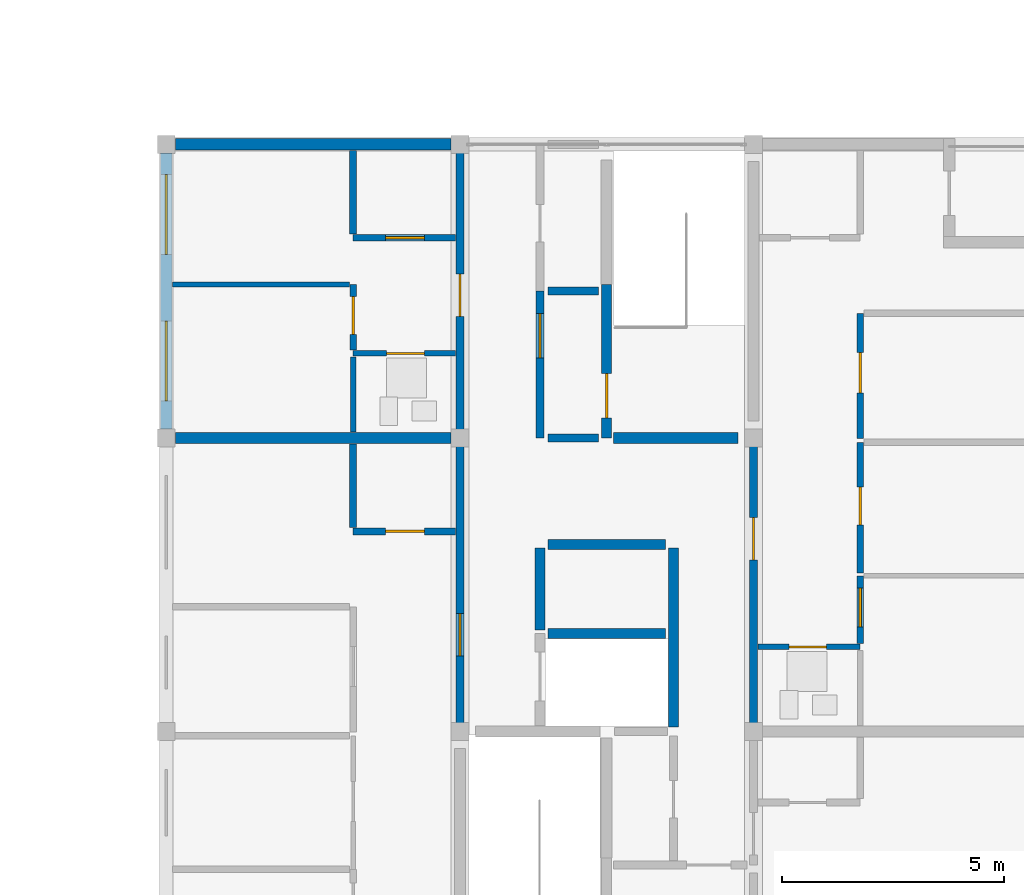
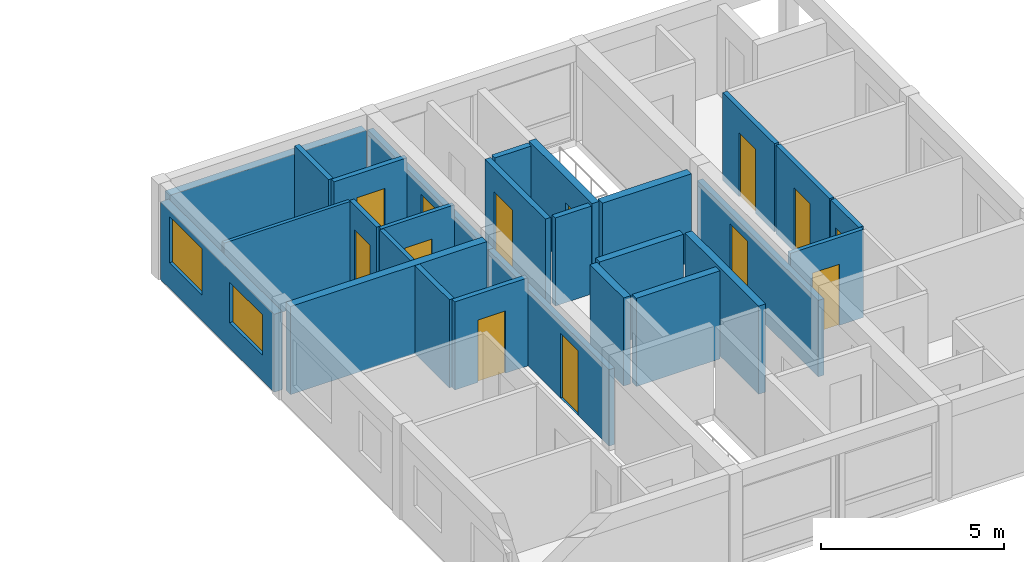
# One storey, part 19 of 34: 27 walls, 13 doors, 2 windows, 15 openings.
"""IFC4 building model written with IfcOpenShell, lengths in metres."""

from ifc_helpers import new_model, si_unit, direction, frame, frame_2d, origin, place, context, subcontext, project, spatial, rectangle, extrude, material, layer, layer_set, type_object, element, fill, save


model = new_model("IFC4")

# Units and contexts
model_context = context("Model", 3, precision=1e-05, world=origin(), true_north=direction((0.0, 1.0)))
body_context = subcontext(model_context, "Body", "Model", "MODEL_VIEW")
ifc_project = project(units=[si_unit("LENGTHUNIT", "METRE"), si_unit("AREAUNIT", "SQUARE_METRE"), si_unit("VOLUMEUNIT", "CUBIC_METRE"), si_unit("PLANEANGLEUNIT", "RADIAN"), si_unit("MASSUNIT", "GRAM", prefix="KILO")], contexts=[model_context])

# Site, building, storey
site_placement = place(None, origin())
site = spatial("IfcSite", under=ifc_project, at=site_placement, CompositionType="ELEMENT")
building_placement = place(site_placement, origin())
building = spatial("IfcBuilding", under=site, at=building_placement, Name="Kernevlak Ridge Housing Community", CompositionType="ELEMENT")
storey_placement = place(building_placement, frame((0.0, 0.0, 40.39990234375)))
storey = spatial("IfcBuildingStorey", under=building, at=storey_placement, Name="L12", CompositionType="ELEMENT", Elevation=40.39990234375)

# Wall, openings, windows
ifc_material_1 = material(Name="Concrete block masonry M10", Category="masonry")
ifc_layer_1 = layer(ifc_material_1, 0.260009765625, Name="Concrete block masonry M10")
ifc_layer_set_1 = layer_set([ifc_layer_1], Name="Concrete block masonry M10")
wall_type_1 = type_object("IfcWallType", Name="EW-05", PredefinedType="STANDARD", material=ifc_layer_set_1)
wall_1_placement = place(storey_placement, frame((126.0, 29.0, 0.0), z_axis=(0.0, 0.0, 1.0), x_axis=(0.0, 1.0, 0.0)))
wall_1 = element("IfcWall", 1, at=wall_1_placement, inside=storey, type_object=wall_type_1, Name="Exterior wall EW-05 L12 699", PredefinedType="STANDARD", context=body_context, shape_type="SweptSolid", body=[
    extrude(rectangle(XDim=6.199951171875, YDim=0.260009765625, at=frame_2d((3.10009765625, 0.0))), origin(), (0.0, 0.0, 1.0), 2.60009765625),
])
opening_1_placement = place(wall_1_placement, frame((0.625, 0.0, 0.85009765625)))
opening_1 = element("IfcOpeningElement", 2, at=opening_1_placement, cuts=wall_1, Name="Opening WT-03", PredefinedType="OPENING", context=body_context, shape_type="SweptSolid", body=[
    extrude(rectangle(XDim=1.800048828125, YDim=1.35009765625, at=frame_2d((0.89990234375, 0.675048828125))), frame((0.0, 0.139892578125, 0.0), z_axis=(0.0, -1.0, 0.0), x_axis=(1.0, 0.0, 0.0)), (0.0, 0.0, 1.0), 0.280029296875),
])
opening_2_placement = place(wall_1_placement, frame((3.925048828125, 0.0, 0.85009765625)))
opening_2 = element("IfcOpeningElement", 3, at=opening_2_placement, cuts=wall_1, Name="Opening WT-04", PredefinedType="OPENING", context=body_context, shape_type="SweptSolid", body=[
    extrude(rectangle(XDim=1.800048828125, YDim=1.550048828125, at=frame_2d((0.89990234375, 0.77490234375))), frame((0.0, 0.139892578125, 0.0), z_axis=(0.0, -1.0, 0.0), x_axis=(1.0, 0.0, 0.0)), (0.0, 0.0, 1.0), 0.280029296875),
])
ifc_material_2 = material(Name="Aluminium EN AW-6060 anodised and laminated glass", Category="aluminium")
window_type_1 = type_object("IfcWindowType", Name="WT-03", PartitioningType="SINGLE_PANEL", PredefinedType="WINDOW", material=ifc_material_2)
window_1_placement = place(opening_1_placement, origin())
window_1 = element("IfcWindow", 4, at=window_1_placement, inside=storey, type_object=window_type_1, Name="Window WT-03 L12 571", OverallHeight=1.35009765625, OverallWidth=1.800048828125, PartitioningType="SINGLE_PANEL", PredefinedType="WINDOW", context=body_context, shape_type="SweptSolid", body=[
    extrude(rectangle(XDim=1.800048828125, YDim=1.35009765625, at=frame_2d((0.89990234375, 0.675048828125))), frame((0.0, 0.030029296875, 0.0), z_axis=(0.0, -1.0, 0.0), x_axis=(1.0, 0.0, 0.0)), (0.0, 0.0, 1.0), 0.06005859375),
])
fill(opening_1, window_1)
window_type_2 = type_object("IfcWindowType", Name="WT-04", PartitioningType="SINGLE_PANEL", PredefinedType="WINDOW", material=ifc_material_2)
window_2_placement = place(opening_2_placement, origin())
window_2 = element("IfcWindow", 5, at=window_2_placement, inside=storey, type_object=window_type_2, Name="Window WT-04 L12 572", OverallHeight=1.550048828125, OverallWidth=1.800048828125, PartitioningType="SINGLE_PANEL", PredefinedType="WINDOW", context=body_context, shape_type="SweptSolid", body=[
    extrude(rectangle(XDim=1.800048828125, YDim=1.550048828125, at=frame_2d((0.89990234375, 0.77490234375))), frame((0.0, 0.030029296875, 0.0), z_axis=(0.0, -1.0, 0.0), x_axis=(1.0, 0.0, 0.0)), (0.0, 0.0, 1.0), 0.06005859375),
])
fill(opening_2, window_2)

# Walls
wall_2_placement = place(storey_placement, frame((126.199951171875, 35.39990234375, 0.0), z_axis=(0.0, 0.0, 1.0), x_axis=(1.0, 0.0, 0.0)))
element("IfcWall", 6, at=wall_2_placement, inside=storey, type_object=wall_type_1, Name="Exterior wall EW-05 L12 707", PredefinedType="STANDARD", context=body_context, shape_type="SweptSolid", body=[
    extrude(rectangle(XDim=6.199951171875, YDim=0.260009765625, at=frame_2d((3.10009765625, 0.0))), origin(), (0.0, 0.0, 1.0), 2.650146484375),
])
ifc_material_3 = material(Name="Concrete C35/45", Category="concrete")
ifc_layer_2 = layer(ifc_material_3, 0.22509765625, Name="Concrete C35/45")
ifc_layer_set_2 = layer_set([ifc_layer_2], Name="Concrete C35/45")
wall_type_2 = type_object("IfcWallType", Name="PW-01", PredefinedType="STANDARD", material=ifc_layer_set_2)
wall_3_placement = place(storey_placement, frame((134.39990234375, 24.47998046875, 0.0), z_axis=(0.0, 0.0, 1.0), x_axis=(0.0, 1.0, 0.0)))
element("IfcWall", 7, at=wall_3_placement, inside=storey, type_object=wall_type_2, Name="Interior wall PW-01 WAL-INT-L12-2848", PredefinedType="STANDARD", context=body_context, shape_type="SweptSolid", body=[
    extrude(rectangle(XDim=1.840087890625, YDim=0.22509765625, at=frame_2d((0.919921875, 0.0))), origin(), (0.0, 0.0, 1.0), 2.940185546875),
])
wall_4_placement = place(storey_placement, frame((137.39990234375, 22.297607421875, 0.0), z_axis=(0.0, 0.0, 1.0), x_axis=(0.0, 1.0, 0.0)))
element("IfcWall", 8, at=wall_4_placement, inside=storey, type_object=wall_type_2, Name="Interior wall PW-01 WAL-INT-L12-2849", PredefinedType="STANDARD", context=body_context, shape_type="SweptSolid", body=[
    extrude(rectangle(XDim=4.0224609375, YDim=0.22509765625, at=frame_2d((2.01123046875, 0.0))), origin(), (0.0, 0.0, 1.0), 2.940185546875),
])
for number, where, z_axis, x_axis, name in (
    (9, (134.580078125, 24.39990234375, 0.0), (0.0, 0.0, 1.0), (1.0, 0.0, 0.0), "Interior wall PW-01 WAL-INT-L12-2851"),
    (10, (134.580078125, 26.39990234375, 0.0), (0.0, 0.0, 1.0), (1.0, 0.0, 0.0), "Interior wall PW-01 WAL-INT-L12-2852"),
):
    element("IfcWall", number, at=place(storey_placement, frame(where, z_axis=z_axis, x_axis=x_axis)), inside=storey, type_object=wall_type_2, Name=name, PredefinedType="STANDARD", context=body_context, shape_type="SweptSolid", body=[
        extrude(rectangle(XDim=2.639892578125, YDim=0.22509765625, at=frame_2d((1.31982421875, 0.0))), origin(), (0.0, 0.0, 1.0), 2.940185546875),
    ])

# Wall, opening, door
wall_5_placement = place(storey_placement, frame((135.89990234375, 28.800048828125, 0.0), z_axis=(0.0, 0.0, 1.0), x_axis=(0.0, 1.0, 0.0)))
wall_5 = element("IfcWall", 11, at=wall_5_placement, inside=storey, type_object=wall_type_2, Name="Interior wall PW-01 WAL-INT-L12-2853", PredefinedType="STANDARD", context=body_context, shape_type="SweptSolid", body=[
    extrude(rectangle(XDim=3.449951171875, YDim=0.22509765625, at=frame_2d((1.72509765625, 0.0))), origin(), (0.0, 0.0, 1.0), 2.940185546875),
])
opening_3_placement = place(wall_5_placement, frame((0.449951171875, 0.0, 0.0)))
opening_3 = element("IfcOpeningElement", 12, at=opening_3_placement, cuts=wall_5, Name="Opening E447", PredefinedType="OPENING", context=body_context, shape_type="SweptSolid", body=[
    extrude(rectangle(XDim=1.0, YDim=2.10009765625, at=frame_2d((0.5, 1.050048828125))), frame((0.0, 0.12255859375, 0.0), z_axis=(0.0, -1.0, 0.0), x_axis=(1.0, 0.0, 0.0)), (0.0, 0.0, 1.0), 0.2451171875),
])
ifc_material_4 = material(Name="Fire-rated sheet steel leaf", Category="steel")
door_type_1 = type_object("IfcDoorType", Name="DT-05", OperationType="NOTDEFINED", PredefinedType="DOOR", material=ifc_material_4)
door_1_placement = place(opening_3_placement, origin())
door_1 = element("IfcDoor", 13, at=door_1_placement, inside=storey, type_object=door_type_1, Name="Block C Stair 2 fire door E447", OperationType="SINGLE_SWING_RIGHT", OverallHeight=2.10009765625, OverallWidth=1.0, PredefinedType="DOOR", context=body_context, shape_type="SweptSolid", body=[
    extrude(rectangle(XDim=1.0, YDim=2.10009765625, at=frame_2d((0.5, 1.050048828125))), frame((0.0, 0.02490234375, 0.0), z_axis=(0.0, -1.0, 0.0), x_axis=(1.0, 0.0, 0.0)), (0.0, 0.0, 1.0), 0.050048828125),
])
fill(opening_3, door_1)

ifc_layer_3 = layer(ifc_material_1, 0.175048828125, Name="Concrete block masonry M10")
ifc_layer_set_3 = layer_set([ifc_layer_3], Name="Concrete block masonry M10")
wall_type_3 = type_object("IfcWallType", Name="PW-02", PredefinedType="PARTITIONING", material=ifc_layer_set_3)
wall_6_placement = place(storey_placement, frame((134.39990234375, 28.800048828125, 0.0), z_axis=(0.0, 0.0, 1.0), x_axis=(0.0, 1.0, 0.0)))
wall_6 = element("IfcWall", 14, at=wall_6_placement, inside=storey, type_object=wall_type_3, Name="Interior wall PW-02 WAL-INT-L12-2854", PredefinedType="PARTITIONING", context=body_context, shape_type="SweptSolid", body=[
    extrude(rectangle(XDim=3.300048828125, YDim=0.175048828125, at=frame_2d((1.64990234375, 0.0))), origin(), (0.0, 0.0, 1.0), 2.940185546875),
])
opening_4_placement = place(wall_6_placement, frame((1.800048828125, 0.0, 0.0)))
opening_4 = element("IfcOpeningElement", 15, at=opening_4_placement, cuts=wall_6, Name="Opening E448", PredefinedType="OPENING", context=body_context, shape_type="SweptSolid", body=[
    extrude(rectangle(XDim=1.0, YDim=2.159912109375, at=frame_2d((0.5, 1.080078125))), frame((0.0, 0.097412109375, 0.0), z_axis=(0.0, -1.0, 0.0), x_axis=(1.0, 0.0, 0.0)), (0.0, 0.0, 1.0), 0.195068359375),
])
door_type_2 = type_object("IfcDoorType", Name="DT-15", OperationType="NOTDEFINED", PredefinedType="DOOR", material=ifc_material_4)
door_2_placement = place(opening_4_placement, origin())
door_2 = element("IfcDoor", 16, at=door_2_placement, inside=storey, type_object=door_type_2, Name="Block C Firefighting lobby 2 door E448", OperationType="SINGLE_SWING_LEFT", OverallHeight=2.159912109375, OverallWidth=1.0, PredefinedType="DOOR", context=body_context, shape_type="SweptSolid", body=[
    extrude(rectangle(XDim=1.0, YDim=2.159912109375, at=frame_2d((0.5, 1.080078125))), frame((0.0, 0.02490234375, 0.0), z_axis=(0.0, -1.0, 0.0), x_axis=(1.0, 0.0, 0.0)), (0.0, 0.0, 1.0), 0.050048828125),
])
fill(opening_4, door_2)

# Walls
for number, where, z_axis, x_axis, name in (
    (17, (134.580078125, 28.800048828125, 0.0), (0.0, 0.0, 1.0), (1.0, 0.0, 0.0), "Interior wall PW-02 WAL-INT-L12-2856"),
    (18, (134.580078125, 32.10009765625, 0.0), (0.0, 0.0, 1.0), (1.0, 0.0, 0.0), "Interior wall PW-02 WAL-INT-L12-2857"),
):
    element("IfcWall", number, at=place(storey_placement, frame(where, z_axis=z_axis, x_axis=x_axis)), inside=storey, type_object=wall_type_3, Name=name, PredefinedType="PARTITIONING", context=body_context, shape_type="SweptSolid", body=[
        extrude(rectangle(XDim=1.139892578125, YDim=0.175048828125, at=frame_2d((0.56982421875, 0.0))), origin(), (0.0, 0.0, 1.0), 2.940185546875),
    ])

# Wall, opening, door
wall_7_placement = place(storey_placement, frame((132.60009765625, 22.199951171875, 0.0), z_axis=(0.0, 0.0, 1.0), x_axis=(0.0, 1.0, 0.0)))
wall_7 = element("IfcWall", 19, at=wall_7_placement, inside=storey, type_object=wall_type_3, Name="Interior wall PW-02 WAL-INT-L12-2859", PredefinedType="PARTITIONING", context=body_context, shape_type="SweptSolid", body=[
    extrude(rectangle(XDim=6.60009765625, YDim=0.175048828125, at=frame_2d((3.300048828125, 0.0))), origin(), (0.0, 0.0, 1.0), 2.550048828125),
])
opening_5_placement = place(wall_7_placement, frame((1.699951171875, 0.0, 0.0)))
opening_5 = element("IfcOpeningElement", 20, at=opening_5_placement, cuts=wall_7, Name="Opening E450", PredefinedType="OPENING", context=body_context, shape_type="SweptSolid", body=[
    extrude(rectangle(XDim=0.949951171875, YDim=2.159912109375, at=frame_2d((0.47509765625, 1.080078125))), frame((0.0, 0.097412109375, 0.0), z_axis=(0.0, -1.0, 0.0), x_axis=(1.0, 0.0, 0.0)), (0.0, 0.0, 1.0), 0.195068359375),
])
ifc_material_5 = material(Name="Hardwood timber solid-core fire leaf", Category="wood")
door_type_3 = type_object("IfcDoorType", Name="DT-02", OperationType="NOTDEFINED", PredefinedType="DOOR", material=ifc_material_5)
door_3_placement = place(opening_5_placement, origin())
door_3 = element("IfcDoor", 21, at=door_3_placement, inside=storey, type_object=door_type_3, Name="Flat C1211 entrance fire door E450", OperationType="SINGLE_SWING_LEFT", OverallHeight=2.159912109375, OverallWidth=0.949951171875, PredefinedType="DOOR", context=body_context, shape_type="SweptSolid", body=[
    extrude(rectangle(XDim=0.949951171875, YDim=2.159912109375, at=frame_2d((0.47509765625, 1.080078125))), frame((0.0, 0.02490234375, 0.0), z_axis=(0.0, -1.0, 0.0), x_axis=(1.0, 0.0, 0.0)), (0.0, 0.0, 1.0), 0.050048828125),
])
fill(opening_5, door_3)

wall_8_placement = place(storey_placement, frame((132.60009765625, 28.800048828125, 0.0), z_axis=(0.0, 0.0, 1.0), x_axis=(0.0, 1.0, 0.0)))
wall_8 = element("IfcWall", 22, at=wall_8_placement, inside=storey, type_object=wall_type_3, Name="Interior wall PW-02 WAL-INT-L12-2870", PredefinedType="PARTITIONING", context=body_context, shape_type="SweptSolid", body=[
    extrude(rectangle(XDim=6.599853515625, YDim=0.175048828125, at=frame_2d((3.2998046875, 0.0))), origin(), (0.0, 0.0, 1.0), 2.550048828125),
])
opening_6_placement = place(wall_8_placement, frame((2.72509765625, 0.0, 0.0)))
opening_6 = element("IfcOpeningElement", 23, at=opening_6_placement, cuts=wall_8, Name="Opening E456", PredefinedType="OPENING", context=body_context, shape_type="SweptSolid", body=[
    extrude(rectangle(XDim=0.9599609375, YDim=2.179931640625, at=frame_2d((0.47998046875, 1.08984375))), frame((0.0, 0.097412109375, 0.0), z_axis=(0.0, -1.0, 0.0), x_axis=(1.0, 0.0, 0.0)), (0.0, 0.0, 1.0), 0.195068359375),
])
door_type_4 = type_object("IfcDoorType", Name="DT-29", OperationType="NOTDEFINED", PredefinedType="DOOR", material=ifc_material_5)
door_4_placement = place(opening_6_placement, origin())
door_4 = element("IfcDoor", 24, at=door_4_placement, inside=storey, type_object=door_type_4, Name="Flat C1212 entrance fire door E456", OperationType="SINGLE_SWING_LEFT", OverallHeight=2.179931640625, OverallWidth=0.9599609375, PredefinedType="DOOR", context=body_context, shape_type="SweptSolid", body=[
    extrude(rectangle(XDim=0.9599609375, YDim=2.179931640625, at=frame_2d((0.47998046875, 1.08984375))), frame((0.0, 0.02490234375, 0.0), z_axis=(0.0, -1.0, 0.0), x_axis=(1.0, 0.0, 0.0)), (0.0, 0.0, 1.0), 0.050048828125),
])
fill(opening_6, door_4)

wall_9_placement = place(storey_placement, frame((139.199951171875, 22.199951171875, 0.0), z_axis=(0.0, 0.0, 1.0), x_axis=(0.0, 1.0, 0.0)))
wall_9 = element("IfcWall", 25, at=wall_9_placement, inside=storey, type_object=wall_type_3, Name="Interior wall PW-02 WAL-INT-L12-2885", PredefinedType="PARTITIONING", context=body_context, shape_type="SweptSolid", body=[
    extrude(rectangle(XDim=6.60009765625, YDim=0.175048828125, at=frame_2d((3.300048828125, 0.0))), origin(), (0.0, 0.0, 1.0), 2.550048828125),
])
opening_7_placement = place(wall_9_placement, frame((3.85009765625, 0.0, 0.0)))
opening_7 = element("IfcOpeningElement", 26, at=opening_7_placement, cuts=wall_9, Name="Opening E464", PredefinedType="OPENING", context=body_context, shape_type="SweptSolid", body=[
    extrude(rectangle(XDim=0.9599609375, YDim=2.179931640625, at=frame_2d((0.47998046875, 1.08984375))), frame((0.0, 0.097412109375, 0.0), z_axis=(0.0, -1.0, 0.0), x_axis=(1.0, 0.0, 0.0)), (0.0, 0.0, 1.0), 0.195068359375),
])
door_5_placement = place(opening_7_placement, origin())
door_5 = element("IfcDoor", 27, at=door_5_placement, inside=storey, type_object=door_type_4, Name="Flat C1222 entrance fire door E464", OperationType="SINGLE_SWING_LEFT", OverallHeight=2.179931640625, OverallWidth=0.9599609375, PredefinedType="DOOR", context=body_context, shape_type="SweptSolid", body=[
    extrude(rectangle(XDim=0.9599609375, YDim=2.179931640625, at=frame_2d((0.47998046875, 1.08984375))), frame((0.0, 0.02490234375, 0.0), z_axis=(0.0, -1.0, 0.0), x_axis=(1.0, 0.0, 0.0)), (0.0, 0.0, 1.0), 0.050048828125),
])
fill(opening_7, door_5)

ifc_layer_4 = layer(ifc_material_1, 0.14501953125, Name="Concrete block masonry M10")
ifc_layer_set_4 = layer_set([ifc_layer_4], Name="Concrete block masonry M10")
wall_type_4 = type_object("IfcWallType", Name="PW-03", PredefinedType="PARTITIONING", material=ifc_layer_set_4)
wall_10_placement = place(storey_placement, frame((130.199951171875, 30.7724609375, 0.0), z_axis=(0.0, 0.0, 1.0), x_axis=(0.0, 1.0, 0.0)))
wall_10 = element("IfcWall", 28, at=wall_10_placement, inside=storey, type_object=wall_type_4, Name="Interior wall PW-03 WAL-INT-L12-2875", PredefinedType="PARTITIONING", context=body_context, shape_type="SweptSolid", body=[
    extrude(rectangle(XDim=1.4775390625, YDim=0.14501953125, at=frame_2d((0.73876953125, 0.0))), origin(), (0.0, 0.0, 1.0), 2.940185546875),
])
opening_8_placement = place(wall_10_placement, frame((0.35009765625, 0.0, 0.0)))
opening_8 = element("IfcOpeningElement", 29, at=opening_8_placement, cuts=wall_10, Name="Opening E459", PredefinedType="OPENING", context=body_context, shape_type="SweptSolid", body=[
    extrude(rectangle(XDim=0.860107421875, YDim=2.1201171875, at=frame_2d((0.43017578125, 1.06005859375))), frame((0.0, 0.08251953125, 0.0), z_axis=(0.0, -1.0, 0.0), x_axis=(1.0, 0.0, 0.0)), (0.0, 0.0, 1.0), 0.1650390625),
])
ifc_material_6 = material(Name="Hardwood timber leaf", Category="wood")
door_type_5 = type_object("IfcDoorType", Name="DT-28", OperationType="NOTDEFINED", PredefinedType="DOOR", material=ifc_material_6)
door_6_placement = place(opening_8_placement, origin())
door_6 = element("IfcDoor", 30, at=door_6_placement, inside=storey, type_object=door_type_5, Name="Flat C1212 bedroom door E459", OperationType="SINGLE_SWING_RIGHT", OverallHeight=2.1201171875, OverallWidth=0.860107421875, PredefinedType="DOOR", context=body_context, shape_type="SweptSolid", body=[
    extrude(rectangle(XDim=0.860107421875, YDim=2.1201171875, at=frame_2d((0.43017578125, 1.06005859375))), frame((0.0, 0.02490234375, 0.0), z_axis=(0.0, -1.0, 0.0), x_axis=(1.0, 0.0, 0.0)), (0.0, 0.0, 1.0), 0.050048828125),
])
fill(opening_8, door_6)

wall_11_placement = place(storey_placement, frame((141.60009765625, 24.172607421875, 0.0), z_axis=(0.0, 0.0, 1.0), x_axis=(0.0, 1.0, 0.0)))
wall_11 = element("IfcWall", 31, at=wall_11_placement, inside=storey, type_object=wall_type_4, Name="Interior wall PW-03 WAL-INT-L12-2890", PredefinedType="PARTITIONING", context=body_context, shape_type="SweptSolid", body=[
    extrude(rectangle(XDim=1.52734375, YDim=0.14501953125, at=frame_2d((0.763671875, 0.0))), origin(), (0.0, 0.0, 1.0), 2.940185546875),
])
opening_9_placement = place(wall_11_placement, frame((0.375, 0.0, 0.0)))
opening_9 = element("IfcOpeningElement", 32, at=opening_9_placement, cuts=wall_11, Name="Opening E467", PredefinedType="OPENING", context=body_context, shape_type="SweptSolid", body=[
    extrude(rectangle(XDim=0.8798828125, YDim=2.159912109375, at=frame_2d((0.43994140625, 1.080078125))), frame((0.0, 0.08251953125, 0.0), z_axis=(0.0, -1.0, 0.0), x_axis=(1.0, 0.0, 0.0)), (0.0, 0.0, 1.0), 0.1650390625),
])
door_type_6 = type_object("IfcDoorType", Name="DT-26", OperationType="NOTDEFINED", PredefinedType="DOOR", material=ifc_material_6)
door_7_placement = place(opening_9_placement, origin())
door_7 = element("IfcDoor", 33, at=door_7_placement, inside=storey, type_object=door_type_6, Name="Flat C1222 bedroom door E467", OperationType="SINGLE_SWING_RIGHT", OverallHeight=2.159912109375, OverallWidth=0.8798828125, PredefinedType="DOOR", context=body_context, shape_type="SweptSolid", body=[
    extrude(rectangle(XDim=0.8798828125, YDim=2.159912109375, at=frame_2d((0.43994140625, 1.080078125))), frame((0.0, 0.02490234375, 0.0), z_axis=(0.0, -1.0, 0.0), x_axis=(1.0, 0.0, 0.0)), (0.0, 0.0, 1.0), 0.050048828125),
])
fill(opening_9, door_7)

wall_12_placement = place(storey_placement, frame((141.60009765625, 25.762451171875, 0.0), z_axis=(0.0, 0.0, 1.0), x_axis=(0.0, 1.0, 0.0)))
wall_12 = element("IfcWall", 34, at=wall_12_placement, inside=storey, type_object=wall_type_4, Name="Interior wall PW-03 WAL-INT-L12-2892", PredefinedType="PARTITIONING", context=body_context, shape_type="SweptSolid", body=[
    extrude(rectangle(XDim=2.9375, YDim=0.14501953125, at=frame_2d((1.46875, 0.0))), origin(), (0.0, 0.0, 1.0), 2.940185546875),
])
opening_10_placement = place(wall_12_placement, frame((1.074951171875, 0.0, 0.0)))
opening_10 = element("IfcOpeningElement", 35, at=opening_10_placement, cuts=wall_12, Name="Opening E468", PredefinedType="OPENING", context=body_context, shape_type="SweptSolid", body=[
    extrude(rectangle(XDim=0.860107421875, YDim=2.1201171875, at=frame_2d((0.43017578125, 1.06005859375))), frame((0.0, 0.08251953125, 0.0), z_axis=(0.0, -1.0, 0.0), x_axis=(1.0, 0.0, 0.0)), (0.0, 0.0, 1.0), 0.1650390625),
])
door_8_placement = place(opening_10_placement, origin())
door_8 = element("IfcDoor", 36, at=door_8_placement, inside=storey, type_object=door_type_5, Name="Flat C1222 bedroom door E468", OperationType="SINGLE_SWING_LEFT", OverallHeight=2.1201171875, OverallWidth=0.860107421875, PredefinedType="DOOR", context=body_context, shape_type="SweptSolid", body=[
    extrude(rectangle(XDim=0.860107421875, YDim=2.1201171875, at=frame_2d((0.43017578125, 1.06005859375))), frame((0.0, 0.02490234375, 0.0), z_axis=(0.0, -1.0, 0.0), x_axis=(1.0, 0.0, 0.0)), (0.0, 0.0, 1.0), 0.050048828125),
])
fill(opening_10, door_8)

wall_13_placement = place(storey_placement, frame((141.60009765625, 28.782470703125, 0.0), z_axis=(0.0, 0.0, 1.0), x_axis=(0.0, 1.0, 0.0)))
wall_13 = element("IfcWall", 37, at=wall_13_placement, inside=storey, type_object=wall_type_4, Name="Interior wall PW-03 WAL-INT-L12-2894", PredefinedType="PARTITIONING", context=body_context, shape_type="SweptSolid", body=[
    extrude(rectangle(XDim=2.817626953125, YDim=0.14501953125, at=frame_2d((1.40869140625, 0.0))), origin(), (0.0, 0.0, 1.0), 2.940185546875),
])
opening_11_placement = place(wall_13_placement, frame((1.02490234375, 0.0, 0.0)))
opening_11 = element("IfcOpeningElement", 38, at=opening_11_placement, cuts=wall_13, Name="Opening E469", PredefinedType="OPENING", context=body_context, shape_type="SweptSolid", body=[
    extrude(rectangle(XDim=0.909912109375, YDim=2.139892578125, at=frame_2d((0.455078125, 1.06982421875))), frame((0.0, 0.08251953125, 0.0), z_axis=(0.0, -1.0, 0.0), x_axis=(1.0, 0.0, 0.0)), (0.0, 0.0, 1.0), 0.1650390625),
])
door_type_7 = type_object("IfcDoorType", Name="DT-31", OperationType="NOTDEFINED", PredefinedType="DOOR", material=ifc_material_6)
door_9_placement = place(opening_11_placement, origin())
door_9 = element("IfcDoor", 39, at=door_9_placement, inside=storey, type_object=door_type_7, Name="Flat C1222 bedroom door E469", OperationType="SINGLE_SWING_RIGHT", OverallHeight=2.139892578125, OverallWidth=0.909912109375, PredefinedType="DOOR", context=body_context, shape_type="SweptSolid", body=[
    extrude(rectangle(XDim=0.909912109375, YDim=2.139892578125, at=frame_2d((0.455078125, 1.06982421875))), frame((0.0, 0.02490234375, 0.0), z_axis=(0.0, -1.0, 0.0), x_axis=(1.0, 0.0, 0.0)), (0.0, 0.0, 1.0), 0.050048828125),
])
fill(opening_11, door_9)

ifc_material_7 = material(Name="Gypsum plasterboard EN 520", Category="gypsum")
ifc_layer_5 = layer(ifc_material_7, 0.125, Name="Gypsum plasterboard EN 520")
ifc_layer_set_5 = layer_set([ifc_layer_5], Name="Gypsum plasterboard EN 520")
wall_type_5 = type_object("IfcWallType", Name="PW-04", PredefinedType="PARTITIONING", material=ifc_layer_set_5)
wall_14_placement = place(storey_placement, frame((132.50244140625, 30.699951171875, 0.0), z_axis=(0.0, 0.0, 1.0), x_axis=(-1.0, 0.0, 0.0)))
wall_14 = element("IfcWall", 40, at=wall_14_placement, inside=storey, type_object=wall_type_5, Name="Interior wall PW-04 WAL-INT-L12-2871", PredefinedType="PARTITIONING", context=body_context, shape_type="SweptSolid", body=[
    extrude(rectangle(XDim=2.302490234375, YDim=0.125, at=frame_2d((1.1513671875, 0.0))), origin(), (0.0, 0.0, 1.0), 2.940185546875),
])
opening_12_placement = place(wall_14_placement, frame((0.699951171875, 0.0, 0.0)))
opening_12 = element("IfcOpeningElement", 41, at=opening_12_placement, cuts=wall_14, Name="Opening E457", PredefinedType="OPENING", context=body_context, shape_type="SweptSolid", body=[
    extrude(rectangle(XDim=0.85009765625, YDim=2.0400390625, at=frame_2d((0.425048828125, 1.02001953125))), frame((0.0, 0.072509765625, 0.0), z_axis=(0.0, -1.0, 0.0), x_axis=(1.0, 0.0, 0.0)), (0.0, 0.0, 1.0), 0.14501953125),
])
ifc_material_8 = material(Name="Hardwood timber moisture-resistant leaf", Category="wood")
door_type_8 = type_object("IfcDoorType", Name="DT-04", OperationType="NOTDEFINED", PredefinedType="DOOR", material=ifc_material_8)
door_10_placement = place(opening_12_placement, origin())
door_10 = element("IfcDoor", 42, at=door_10_placement, inside=storey, type_object=door_type_8, Name="Flat C1212 bathroom door E457", OperationType="SINGLE_SWING_RIGHT", OverallHeight=2.0400390625, OverallWidth=0.85009765625, PredefinedType="DOOR", context=body_context, shape_type="SweptSolid", body=[
    extrude(rectangle(XDim=0.85009765625, YDim=2.0400390625, at=frame_2d((0.425048828125, 1.02001953125))), frame((0.0, 0.02490234375, 0.0), z_axis=(0.0, -1.0, 0.0), x_axis=(1.0, 0.0, 0.0)), (0.0, 0.0, 1.0), 0.050048828125),
])
fill(opening_12, door_10)

# Wall
wall_15_placement = place(storey_placement, frame((130.199951171875, 28.93505859375, 0.0), z_axis=(0.0, 0.0, 1.0), x_axis=(0.0, 1.0, 0.0)))
element("IfcWall", 43, at=wall_15_placement, inside=storey, type_object=wall_type_5, Name="Interior wall PW-04 WAL-INT-L12-2872", PredefinedType="PARTITIONING", context=body_context, shape_type="SweptSolid", body=[
    extrude(rectangle(XDim=1.68505859375, YDim=0.125, at=frame_2d((0.842529296875, 0.0))), origin(), (0.0, 0.0, 1.0), 2.940185546875),
])

# Wall, opening, door
wall_16_placement = place(storey_placement, frame((139.297607421875, 24.10009765625, 0.0), z_axis=(0.0, 0.0, 1.0), x_axis=(1.0, 0.0, 0.0)))
wall_16 = element("IfcWall", 44, at=wall_16_placement, inside=storey, type_object=wall_type_5, Name="Interior wall PW-04 WAL-INT-L12-2886", PredefinedType="PARTITIONING", context=body_context, shape_type="SweptSolid", body=[
    extrude(rectangle(XDim=2.302490234375, YDim=0.125, at=frame_2d((1.1513671875, 0.0))), origin(), (0.0, 0.0, 1.0), 2.940185546875),
])
opening_13_placement = place(wall_16_placement, frame((0.699951171875, 0.0, 0.0)))
opening_13 = element("IfcOpeningElement", 45, at=opening_13_placement, cuts=wall_16, Name="Opening E465", PredefinedType="OPENING", context=body_context, shape_type="SweptSolid", body=[
    extrude(rectangle(XDim=0.85009765625, YDim=2.0400390625, at=frame_2d((0.425048828125, 1.02001953125))), frame((0.0, 0.072509765625, 0.0), z_axis=(0.0, -1.0, 0.0), x_axis=(1.0, 0.0, 0.0)), (0.0, 0.0, 1.0), 0.14501953125),
])
door_11_placement = place(opening_13_placement, origin())
door_11 = element("IfcDoor", 46, at=door_11_placement, inside=storey, type_object=door_type_8, Name="Flat C1222 bathroom door E465", OperationType="SINGLE_SWING_RIGHT", OverallHeight=2.0400390625, OverallWidth=0.85009765625, PredefinedType="DOOR", context=body_context, shape_type="SweptSolid", body=[
    extrude(rectangle(XDim=0.85009765625, YDim=2.0400390625, at=frame_2d((0.425048828125, 1.02001953125))), frame((0.0, 0.02490234375, 0.0), z_axis=(0.0, -1.0, 0.0), x_axis=(1.0, 0.0, 0.0)), (0.0, 0.0, 1.0), 0.050048828125),
])
fill(opening_13, door_11)

ifc_layer_6 = layer(ifc_material_7, 0.155029296875, Name="Gypsum plasterboard EN 520")
ifc_layer_set_6 = layer_set([ifc_layer_6], Name="Gypsum plasterboard EN 520")
wall_type_6 = type_object("IfcWallType", Name="PW-05", PredefinedType="PARTITIONING", material=ifc_layer_set_6)
wall_17_placement = place(storey_placement, frame((132.50244140625, 26.699951171875, 0.0), z_axis=(0.0, 0.0, 1.0), x_axis=(-1.0, 0.0, 0.0)))
wall_17 = element("IfcWall", 47, at=wall_17_placement, inside=storey, type_object=wall_type_6, Name="Interior wall PW-05 WAL-INT-L12-2862", PredefinedType="PARTITIONING", context=body_context, shape_type="SweptSolid", body=[
    extrude(rectangle(XDim=2.302490234375, YDim=0.155029296875, at=frame_2d((1.1513671875, 0.0))), origin(), (0.0, 0.0, 1.0), 2.940185546875),
])
opening_14_placement = place(wall_17_placement, frame((0.699951171875, 0.0, 0.0)))
opening_14 = element("IfcOpeningElement", 48, at=opening_14_placement, cuts=wall_17, Name="Opening E452", PredefinedType="OPENING", context=body_context, shape_type="SweptSolid", body=[
    extrude(rectangle(XDim=0.8701171875, YDim=2.080078125, at=frame_2d((0.43505859375, 1.0400390625))), frame((0.0, 0.08740234375, 0.0), z_axis=(0.0, -1.0, 0.0), x_axis=(1.0, 0.0, 0.0)), (0.0, 0.0, 1.0), 0.175048828125),
])
door_type_9 = type_object("IfcDoorType", Name="DT-32", OperationType="NOTDEFINED", PredefinedType="DOOR", material=ifc_material_6)
door_12_placement = place(opening_14_placement, origin())
door_12 = element("IfcDoor", 49, at=door_12_placement, inside=storey, type_object=door_type_9, Name="Flat C1211 kitchen door E452", OperationType="SINGLE_SWING_LEFT", OverallHeight=2.080078125, OverallWidth=0.8701171875, PredefinedType="DOOR", context=body_context, shape_type="SweptSolid", body=[
    extrude(rectangle(XDim=0.8701171875, YDim=2.080078125, at=frame_2d((0.43505859375, 1.0400390625))), frame((0.0, 0.02490234375, 0.0), z_axis=(0.0, -1.0, 0.0), x_axis=(1.0, 0.0, 0.0)), (0.0, 0.0, 1.0), 0.050048828125),
])
fill(opening_14, door_12)

# Wall
wall_18_placement = place(storey_placement, frame((130.199951171875, 26.78759765625, 0.0), z_axis=(0.0, 0.0, 1.0), x_axis=(0.0, 1.0, 0.0)))
element("IfcWall", 50, at=wall_18_placement, inside=storey, type_object=wall_type_6, Name="Interior wall PW-05 WAL-INT-L12-2863", PredefinedType="PARTITIONING", context=body_context, shape_type="SweptSolid", body=[
    extrude(rectangle(XDim=1.87744140625, YDim=0.155029296875, at=frame_2d((0.938720703125, 0.0))), origin(), (0.0, 0.0, 1.0), 2.940185546875),
])

# Wall, opening, door
wall_19_placement = place(storey_placement, frame((132.50244140625, 33.300048828125, 0.0), z_axis=(0.0, 0.0, 1.0), x_axis=(-1.0, 0.0, 0.0)))
wall_19 = element("IfcWall", 51, at=wall_19_placement, inside=storey, type_object=wall_type_6, Name="Interior wall PW-05 WAL-INT-L12-2873", PredefinedType="PARTITIONING", context=body_context, shape_type="SweptSolid", body=[
    extrude(rectangle(XDim=2.302490234375, YDim=0.155029296875, at=frame_2d((1.1513671875, 0.0))), origin(), (0.0, 0.0, 1.0), 2.940185546875),
])
opening_15_placement = place(wall_19_placement, frame((0.699951171875, 0.0, 0.0)))
opening_15 = element("IfcOpeningElement", 52, at=opening_15_placement, cuts=wall_19, Name="Opening E458", PredefinedType="OPENING", context=body_context, shape_type="SweptSolid", body=[
    extrude(rectangle(XDim=0.8798828125, YDim=2.159912109375, at=frame_2d((0.43994140625, 1.080078125))), frame((0.0, 0.08740234375, 0.0), z_axis=(0.0, -1.0, 0.0), x_axis=(1.0, 0.0, 0.0)), (0.0, 0.0, 1.0), 0.175048828125),
])
door_13_placement = place(opening_15_placement, origin())
door_13 = element("IfcDoor", 53, at=door_13_placement, inside=storey, type_object=door_type_6, Name="Flat C1212 kitchen door E458", OperationType="SINGLE_SWING_LEFT", OverallHeight=2.159912109375, OverallWidth=0.8798828125, PredefinedType="DOOR", context=body_context, shape_type="SweptSolid", body=[
    extrude(rectangle(XDim=0.8798828125, YDim=2.159912109375, at=frame_2d((0.43994140625, 1.080078125))), frame((0.0, 0.02490234375, 0.0), z_axis=(0.0, -1.0, 0.0), x_axis=(1.0, 0.0, 0.0)), (0.0, 0.0, 1.0), 0.050048828125),
])
fill(opening_15, door_13)

# Walls
wall_20_placement = place(storey_placement, frame((130.199951171875, 33.387451171875, 0.0), z_axis=(0.0, 0.0, 1.0), x_axis=(0.0, 1.0, 0.0)))
element("IfcWall", 54, at=wall_20_placement, inside=storey, type_object=wall_type_6, Name="Interior wall PW-05 WAL-INT-L12-2874", PredefinedType="PARTITIONING", context=body_context, shape_type="SweptSolid", body=[
    extrude(rectangle(XDim=1.87255859375, YDim=0.155029296875, at=frame_2d((0.936279296875, 0.0))), origin(), (0.0, 0.0, 1.0), 2.940185546875),
])
ifc_layer_7 = layer(ifc_material_7, 0.10498046875, Name="Gypsum plasterboard EN 520")
ifc_layer_set_7 = layer_set([ifc_layer_7], Name="Gypsum plasterboard EN 520")
wall_type_7 = type_object("IfcWallType", Name="PW-06", PredefinedType="PARTITIONING", material=ifc_layer_set_7)
wall_21_placement = place(storey_placement, frame((130.117431640625, 32.25, 0.0), z_axis=(0.0, 0.0, 1.0), x_axis=(-1.0, 0.0, 0.0)))
element("IfcWall", 55, at=wall_21_placement, inside=storey, type_object=wall_type_7, Name="Interior wall PW-06 WAL-INT-L12-2876", PredefinedType="PARTITIONING", context=body_context, shape_type="SweptSolid", body=[
    extrude(rectangle(XDim=3.9775390625, YDim=0.10498046875, at=frame_2d((1.98876953125, 0.0))), origin(), (0.0, 0.0, 1.0), 2.940185546875),
])
ifc_material_9 = material(Name="Concrete C40/50", Category="concrete")
ifc_layer_8 = layer(ifc_material_9, 0.25, Name="Concrete C40/50")
ifc_layer_set_8 = layer_set([ifc_layer_8], Name="Concrete C40/50")
wall_type_8 = type_object("IfcWallType", Name="SW-03", PredefinedType="SHEAR", material=ifc_layer_set_8)
wall_22_placement = place(storey_placement, frame((136.050048828125, 28.800048828125, 0.0), z_axis=(0.0, 0.0, 1.0), x_axis=(1.0, 0.0, 0.0)))
element("IfcWall", 56, at=wall_22_placement, inside=storey, type_object=wall_type_8, Name="Shear wall SW-03 Block C L12 494", PredefinedType="SHEAR", context=body_context, shape_type="SweptSolid", body=[
    extrude(rectangle(XDim=2.800048828125, YDim=0.25, at=frame_2d((1.39990234375, 0.0))), origin(), (0.0, 0.0, 1.0), 2.940185546875),
])
wall_23_placement = place(storey_placement, frame((126.199951171875, 28.800048828125, 0.0), z_axis=(0.0, 0.0, 1.0), x_axis=(1.0, 0.0, 0.0)))
element("IfcWall", 57, at=wall_23_placement, inside=storey, type_object=wall_type_8, Name="Shear wall SW-03 Block C L12 495", PredefinedType="SHEAR", context=body_context, shape_type="SweptSolid", body=[
    extrude(rectangle(XDim=6.199951171875, YDim=0.25, at=frame_2d((3.10009765625, 0.0))), origin(), (0.0, 0.0, 1.0), 2.940185546875),
])

save(model, "model.ifc")
